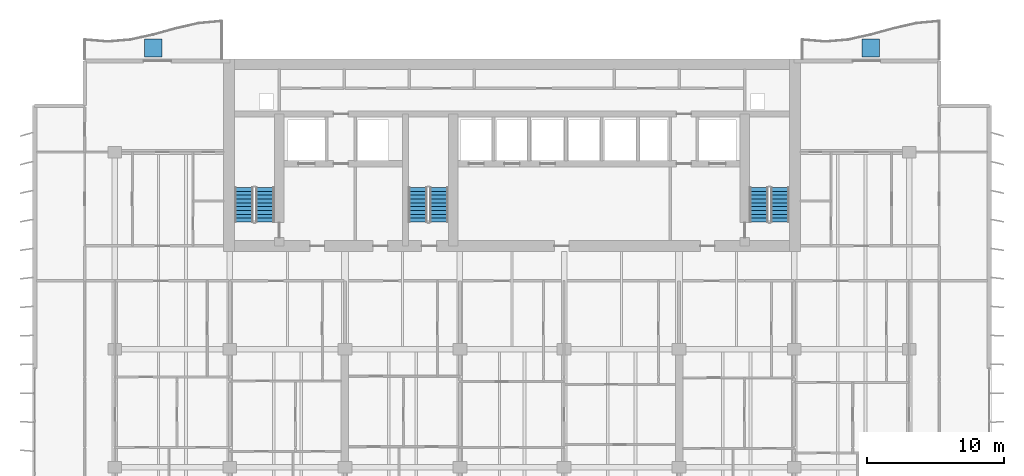
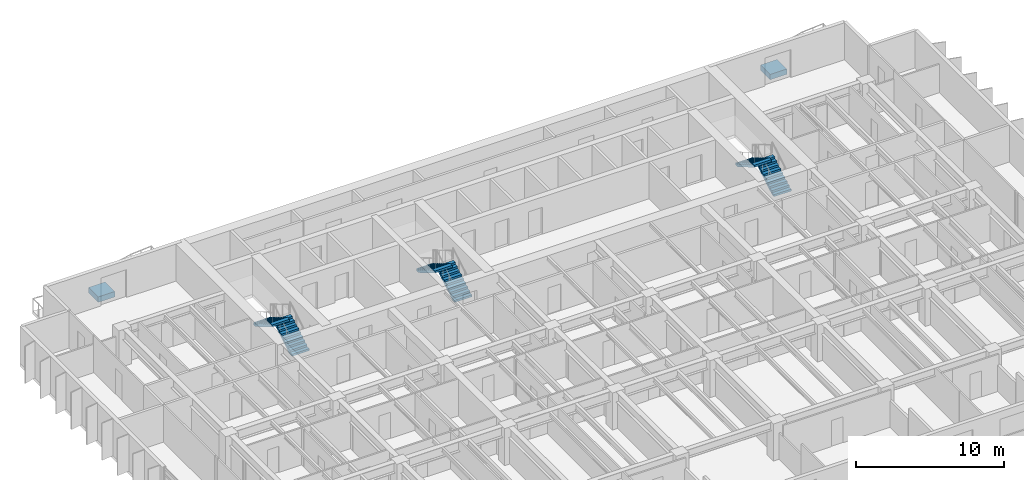
# One storey, part 13 of 17: 6 stair flights, 2 discrete accessories, 3 elements without a shape of their own.
"""IFC4 building model written with IfcOpenShell, lengths in metres."""

from ifc_helpers import new_model, si_unit, direction, frame, origin, origin_2d, place, context, subcontext, project, spatial, polyline, rectangle, outline, extrude, material, type_object, element, aggregate, save


model = new_model("IFC4")

# Units and contexts
model_context = context("Model", 3, precision=1e-05, world=origin(), true_north=direction((0.0, 1.0)))
body_context = subcontext(model_context, "Body", "Model", "MODEL_VIEW")
ifc_project = project(units=[si_unit("LENGTHUNIT", "METRE"), si_unit("AREAUNIT", "SQUARE_METRE"), si_unit("VOLUMEUNIT", "CUBIC_METRE"), si_unit("PLANEANGLEUNIT", "RADIAN"), si_unit("MASSUNIT", "GRAM", prefix="KILO")], contexts=[model_context])

# Site, building, storey
site_placement = place(None, origin())
site = spatial("IfcSite", under=ifc_project, at=site_placement, CompositionType="ELEMENT")
building_placement = place(site_placement, origin())
building = spatial("IfcBuilding", under=site, at=building_placement, Name="Caelmar Bay Residences", CompositionType="ELEMENT")
storey_placement = place(building_placement, frame((0.0, 0.0, 87.89990234375)))
storey = spatial("IfcBuildingStorey", under=building, at=storey_placement, Name="L23", CompositionType="ELEMENT", Elevation=87.89990234375)

# Stair, stair flights
ifc_material_1 = material(Name="Concrete f'c 40 MPa (6,000 psi)", Category="concrete")
stair_type = type_object("IfcStairType", Name="ST-TYP-165", PredefinedType="HALF_TURN_STAIR", material=ifc_material_1)
stair_1_placement = place(storey_placement, origin())
stair_1 = element("IfcStair", 1, at=stair_1_placement, inside=storey, type_object=stair_type, Name="L23 West Smokeproof Exit Stair ST1", PredefinedType="HALF_TURN_STAIR")
stair_flight_type = type_object("IfcStairFlightType", Name="STF-1350", PredefinedType="STRAIGHT", material=ifc_material_1)
stair_flight_1_placement = place(storey_placement, frame((20.875, 38.699951171875, 0.0), z_axis=(0.0, 0.0, 1.0), x_axis=(0.0, 1.0, 0.0)))
stair_flight_1 = element("IfcStairFlight", 2, at=stair_flight_1_placement, type_object=stair_flight_type, Name="ST1 flight 1", NumberOfRisers=10, NumberOfTreads=9, PredefinedType="STRAIGHT", RiserHeight=0.165, TreadLength=0.28, context=body_context, shape_type="SweptSolid", body=[
    extrude(outline(polyline([(0.0, 0.0), (0.0, 0.1650390625), (0.280029296875, 0.1650390625), (0.280029296875, 0.330078125), (0.56005859375, 0.330078125), (0.56005859375, 0.4951171875), (0.840087890625, 0.4951171875), (0.840087890625, 0.659912109375), (1.1201171875, 0.659912109375), (1.1201171875, 0.824951171875), (1.39990234375, 0.824951171875), (1.39990234375, 0.989990234375), (1.679931640625, 0.989990234375), (1.679931640625, 1.155029296875), (1.9599609375, 1.155029296875), (1.9599609375, 1.320068359375), (2.239990234375, 1.320068359375), (2.239990234375, 1.485107421875), (2.52001953125, 1.485107421875), (2.52001953125, 1.64990234375), (2.52001953125, 1.31103515625), (0.295166015625, 0.0), (0.0, 0.0)])), frame((0.0, 0.675048828125, 0.0), z_axis=(0.0, -1.0, 0.0), x_axis=(1.0, 0.0, 0.0)), (0.0, 0.0, 1.0), 1.35009765625),
])
stair_flight_2_placement = place(storey_placement, frame((19.324951171875, 41.219970703125, 1.650146484375), z_axis=(0.0, 0.0, 1.0), x_axis=(0.0, -1.0, 0.0)))
stair_flight_2 = element("IfcStairFlight", 3, at=stair_flight_2_placement, type_object=stair_flight_type, Name="ST1 flight 2", NumberOfRisers=10, NumberOfTreads=9, PredefinedType="STRAIGHT", RiserHeight=0.165, TreadLength=0.28, context=body_context, shape_type="SweptSolid", body=[
    extrude(outline(polyline([(0.0, 0.0), (0.0, 0.1650390625), (0.280029296875, 0.1650390625), (0.280029296875, 0.330078125), (0.56005859375, 0.330078125), (0.56005859375, 0.4951171875), (0.840087890625, 0.4951171875), (0.840087890625, 0.659912109375), (1.1201171875, 0.659912109375), (1.1201171875, 0.824951171875), (1.39990234375, 0.824951171875), (1.39990234375, 0.989990234375), (1.679931640625, 0.989990234375), (1.679931640625, 1.155029296875), (1.9599609375, 1.155029296875), (1.9599609375, 1.320068359375), (2.239990234375, 1.320068359375), (2.239990234375, 1.485107421875), (2.52001953125, 1.485107421875), (2.52001953125, 1.64990234375), (2.52001953125, 1.31103515625), (0.295166015625, 0.0), (0.0, 0.0)])), frame((0.0, 0.675048828125, 0.0), z_axis=(0.0, -1.0, 0.0), x_axis=(1.0, 0.0, 0.0)), (0.0, 0.0, 1.0), 1.35009765625),
])
aggregate(stair_1, [stair_flight_1, stair_flight_2])

stair_2_placement = place(storey_placement, origin())
stair_2 = element("IfcStair", 4, at=stair_2_placement, inside=storey, type_object=stair_type, Name="L23 East Smokeproof Exit Stair ST2", PredefinedType="HALF_TURN_STAIR")
stair_flight_3_placement = place(storey_placement, frame((58.47509765625, 38.699951171875, 0.0), z_axis=(0.0, 0.0, 1.0), x_axis=(0.0, 1.0, 0.0)))
stair_flight_3 = element("IfcStairFlight", 5, at=stair_flight_3_placement, type_object=stair_flight_type, Name="ST2 flight 1", NumberOfRisers=10, NumberOfTreads=9, PredefinedType="STRAIGHT", RiserHeight=0.165, TreadLength=0.28, context=body_context, shape_type="SweptSolid", body=[
    extrude(outline(polyline([(0.0, 0.0), (0.0, 0.1650390625), (0.280029296875, 0.1650390625), (0.280029296875, 0.330078125), (0.56005859375, 0.330078125), (0.56005859375, 0.4951171875), (0.840087890625, 0.4951171875), (0.840087890625, 0.659912109375), (1.1201171875, 0.659912109375), (1.1201171875, 0.824951171875), (1.39990234375, 0.824951171875), (1.39990234375, 0.989990234375), (1.679931640625, 0.989990234375), (1.679931640625, 1.155029296875), (1.9599609375, 1.155029296875), (1.9599609375, 1.320068359375), (2.239990234375, 1.320068359375), (2.239990234375, 1.485107421875), (2.52001953125, 1.485107421875), (2.52001953125, 1.64990234375), (2.52001953125, 1.31103515625), (0.295166015625, 0.0), (0.0, 0.0)])), frame((0.0, 0.675048828125, 0.0), z_axis=(0.0, -1.0, 0.0), x_axis=(1.0, 0.0, 0.0)), (0.0, 0.0, 1.0), 1.35009765625),
])
stair_flight_4_placement = place(storey_placement, frame((56.925048828125, 41.219970703125, 1.650146484375), z_axis=(0.0, 0.0, 1.0), x_axis=(0.0, -1.0, 0.0)))
stair_flight_4 = element("IfcStairFlight", 6, at=stair_flight_4_placement, type_object=stair_flight_type, Name="ST2 flight 2", NumberOfRisers=10, NumberOfTreads=9, PredefinedType="STRAIGHT", RiserHeight=0.165, TreadLength=0.28, context=body_context, shape_type="SweptSolid", body=[
    extrude(outline(polyline([(0.0, 0.0), (0.0, 0.1650390625), (0.280029296875, 0.1650390625), (0.280029296875, 0.330078125), (0.56005859375, 0.330078125), (0.56005859375, 0.4951171875), (0.840087890625, 0.4951171875), (0.840087890625, 0.659912109375), (1.1201171875, 0.659912109375), (1.1201171875, 0.824951171875), (1.39990234375, 0.824951171875), (1.39990234375, 0.989990234375), (1.679931640625, 0.989990234375), (1.679931640625, 1.155029296875), (1.9599609375, 1.155029296875), (1.9599609375, 1.320068359375), (2.239990234375, 1.320068359375), (2.239990234375, 1.485107421875), (2.52001953125, 1.485107421875), (2.52001953125, 1.64990234375), (2.52001953125, 1.31103515625), (0.295166015625, 0.0), (0.0, 0.0)])), frame((0.0, 0.675048828125, 0.0), z_axis=(0.0, -1.0, 0.0), x_axis=(1.0, 0.0, 0.0)), (0.0, 0.0, 1.0), 1.35009765625),
])
aggregate(stair_2, [stair_flight_3, stair_flight_4])

stair_3_placement = place(storey_placement, origin())
stair_3 = element("IfcStair", 7, at=stair_3_placement, inside=storey, type_object=stair_type, Name="L23 Central Smokeproof Exit Stair ST3", PredefinedType="HALF_TURN_STAIR")
stair_flight_5_placement = place(storey_placement, frame((33.574951171875, 38.699951171875, 0.0), z_axis=(0.0, 0.0, 1.0), x_axis=(0.0, 1.0, 0.0)))
stair_flight_5 = element("IfcStairFlight", 8, at=stair_flight_5_placement, type_object=stair_flight_type, Name="ST3 flight 1", NumberOfRisers=10, NumberOfTreads=9, PredefinedType="STRAIGHT", RiserHeight=0.165, TreadLength=0.28, context=body_context, shape_type="SweptSolid", body=[
    extrude(outline(polyline([(0.0, 0.0), (0.0, 0.1650390625), (0.280029296875, 0.1650390625), (0.280029296875, 0.330078125), (0.56005859375, 0.330078125), (0.56005859375, 0.4951171875), (0.840087890625, 0.4951171875), (0.840087890625, 0.659912109375), (1.1201171875, 0.659912109375), (1.1201171875, 0.824951171875), (1.39990234375, 0.824951171875), (1.39990234375, 0.989990234375), (1.679931640625, 0.989990234375), (1.679931640625, 1.155029296875), (1.9599609375, 1.155029296875), (1.9599609375, 1.320068359375), (2.239990234375, 1.320068359375), (2.239990234375, 1.485107421875), (2.52001953125, 1.485107421875), (2.52001953125, 1.64990234375), (2.52001953125, 1.31103515625), (0.295166015625, 0.0), (0.0, 0.0)])), frame((0.0, 0.675048828125, 0.0), z_axis=(0.0, -1.0, 0.0), x_axis=(1.0, 0.0, 0.0)), (0.0, 0.0, 1.0), 1.35009765625),
])
stair_flight_6_placement = place(storey_placement, frame((32.02490234375, 41.219970703125, 1.650146484375), z_axis=(0.0, 0.0, 1.0), x_axis=(0.0, -1.0, 0.0)))
stair_flight_6 = element("IfcStairFlight", 9, at=stair_flight_6_placement, type_object=stair_flight_type, Name="ST3 flight 2", NumberOfRisers=10, NumberOfTreads=9, PredefinedType="STRAIGHT", RiserHeight=0.165, TreadLength=0.28, context=body_context, shape_type="SweptSolid", body=[
    extrude(outline(polyline([(0.0, 0.0), (0.0, 0.1650390625), (0.280029296875, 0.1650390625), (0.280029296875, 0.330078125), (0.56005859375, 0.330078125), (0.56005859375, 0.4951171875), (0.840087890625, 0.4951171875), (0.840087890625, 0.659912109375), (1.1201171875, 0.659912109375), (1.1201171875, 0.824951171875), (1.39990234375, 0.824951171875), (1.39990234375, 0.989990234375), (1.679931640625, 0.989990234375), (1.679931640625, 1.155029296875), (1.9599609375, 1.155029296875), (1.9599609375, 1.320068359375), (2.239990234375, 1.320068359375), (2.239990234375, 1.485107421875), (2.52001953125, 1.485107421875), (2.52001953125, 1.64990234375), (2.52001953125, 1.31103515625), (0.295166015625, 0.0), (0.0, 0.0)])), frame((0.0, 0.675048828125, 0.0), z_axis=(0.0, -1.0, 0.0), x_axis=(1.0, 0.0, 0.0)), (0.0, 0.0, 1.0), 1.35009765625),
])
aggregate(stair_3, [stair_flight_5, stair_flight_6])

# Discrete accessories
ifc_material_2 = material(Name="Precast concrete f'c 40 MPa (6,000 psi)", Category="concrete")
discrete_accessory_type = type_object("IfcDiscreteAccessoryType", Name="STR-PLANTER-KERB-450", PredefinedType="USERDEFINED", material=ifc_material_2)
for number, where, z_axis, x_axis, name in (
    (10, (12.699951171875, 51.39990234375, 0.0), (0.0, 0.0, 1.0), (1.0, 0.0, 0.0), "L23 north_west Structural Tree Planter Kerb"),
    (11, (65.10009765625, 51.39990234375, 0.0), (0.0, 0.0, 1.0), (1.0, 0.0, 0.0), "L23 north_east Structural Tree Planter Kerb"),
):
    element("IfcDiscreteAccessory", number, at=place(storey_placement, frame(where, z_axis=z_axis, x_axis=x_axis)), inside=storey, type_object=discrete_accessory_type, Name=name, ObjectType="PLANTER", PredefinedType="USERDEFINED", context=body_context, shape_type="SweptSolid", body=[
        extrude(rectangle(XDim=1.300048828125, YDim=1.300048828125, at=origin_2d()), origin(), (0.0, 0.0, 1.0), 0.449951171875),
    ])

save(model, "model.ifc")
